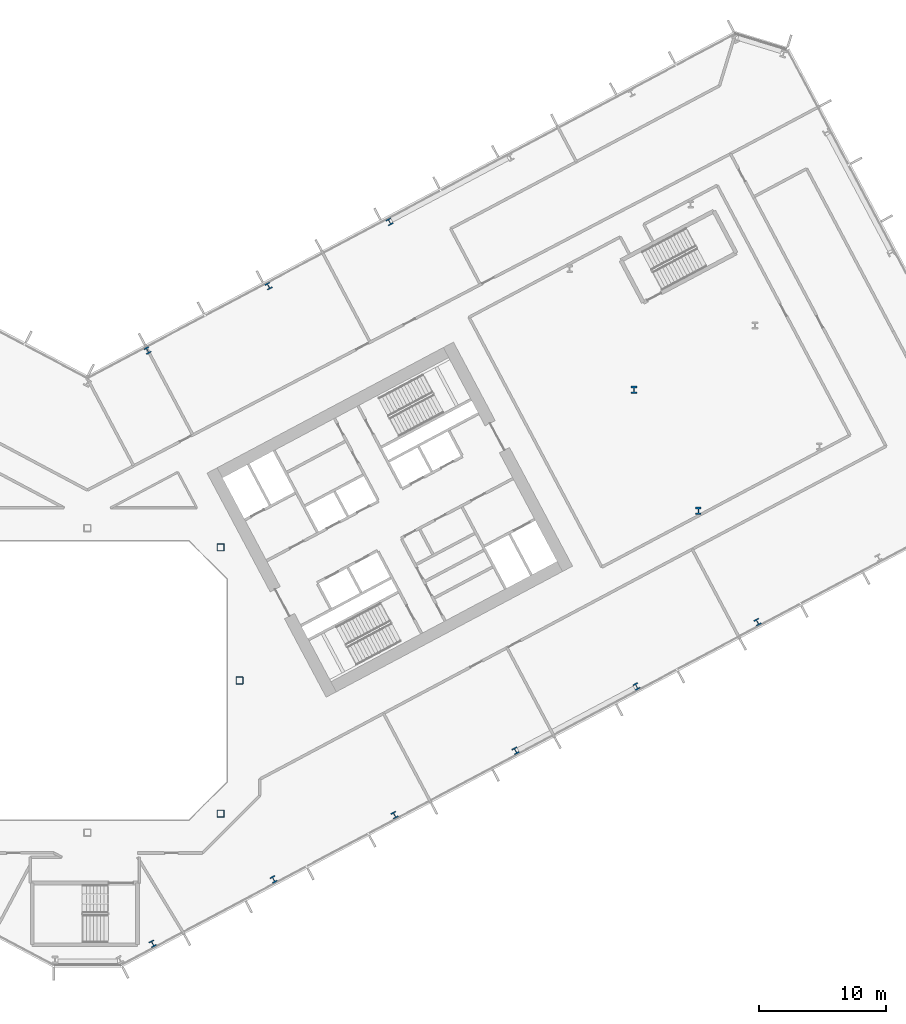
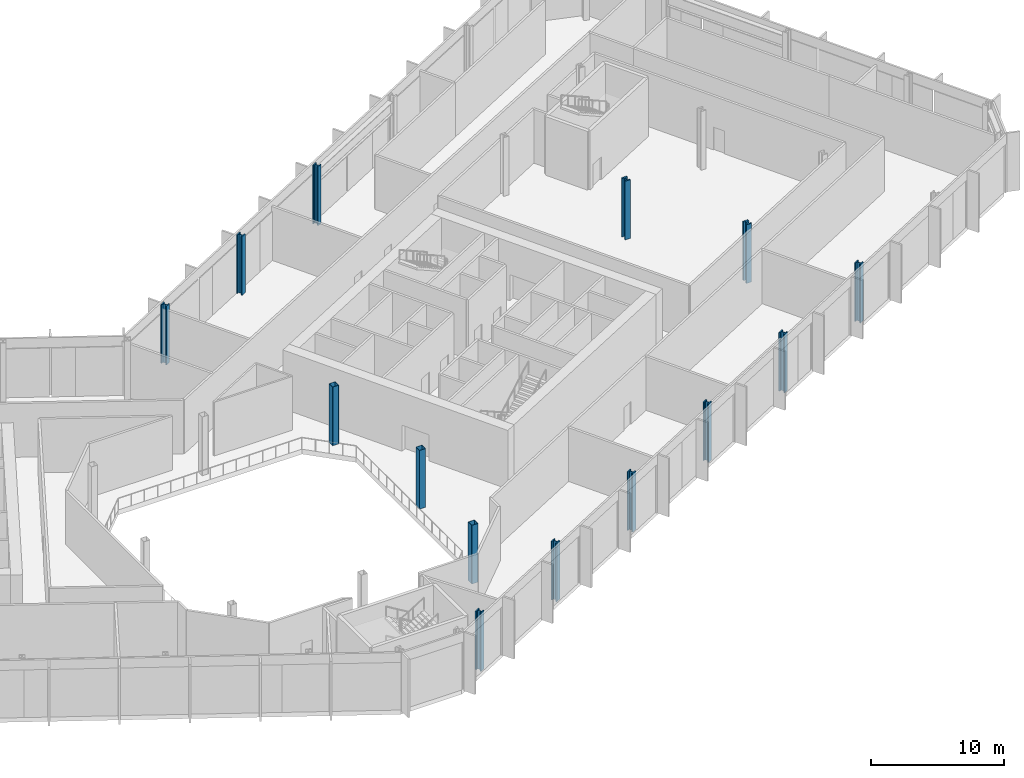
# One storey, part 3 of 31: 14 columns.
"""IFC4 building model written with IfcOpenShell, lengths in metres."""

from ifc_helpers import new_model, si_unit, direction, frame, origin, origin_2d, place, context, subcontext, project, spatial, hollow_rectangle, i_section, extrude, material, material_profile, profile_set, type_object, element, save


model = new_model("IFC4")

# Units and contexts
model_context = context("Model", 3, precision=1e-05, world=origin(), true_north=direction((0.0, 1.0)))
body_context = subcontext(model_context, "Body", "Model", "MODEL_VIEW")
ifc_project = project(units=[si_unit("LENGTHUNIT", "METRE"), si_unit("AREAUNIT", "SQUARE_METRE"), si_unit("VOLUMEUNIT", "CUBIC_METRE"), si_unit("PLANEANGLEUNIT", "RADIAN"), si_unit("MASSUNIT", "GRAM", prefix="KILO")], contexts=[model_context])

# Site, building, storey
site_placement = place(None, origin())
site = spatial("IfcSite", under=ifc_project, at=site_placement, CompositionType="ELEMENT")
building_placement = place(site_placement, origin())
building = spatial("IfcBuilding", under=site, at=building_placement, Name="Cormorant Relay Tower", CompositionType="ELEMENT")
storey_placement = place(building_placement, frame((0.0, 0.0, 12.199951171875)))
storey = spatial("IfcBuildingStorey", under=building, at=storey_placement, Name="L02", CompositionType="ELEMENT", Elevation=12.199951171875)

# Columns
ifc_material_1 = material(Name="Steel ASTM A1085 Grade A (Fy 345 MPa)", Category="steel")
ifc_material_profile_1 = material_profile(ifc_material_1, hollow_rectangle(XDim=0.558837890625, YDim=0.558837890625, WallThickness=0.023681640625, InnerFilletRadius=0.01171875, OuterFilletRadius=0.035400390625, at=origin_2d()), Name="HSS559x559x24")
ifc_profile_set_1 = profile_set([ifc_material_profile_1], Name="Steel ASTM A1085 Grade A (Fy 345 MPa)")
column_type_1 = type_object("IfcColumnType", Name="Column HSS559x559x24", PredefinedType="COLUMN", material=ifc_profile_set_1)
for number, where, z_axis, x_axis, name in (
    (1, (10.5, -10.5, 0.0), (0.0, 0.0, 1.0), (1.0, 0.0, 0.0), "Column L02-010"),
    (2, (12.0, 0.0, 0.0), (0.0, 0.0, 1.0), (1.0, 0.0, 0.0), "Column L02-016"),
    (3, (10.5, 10.5, 0.0), (0.0, 0.0, 1.0), (1.0, 0.0, 0.0), "Column L02-023"),
):
    element("IfcColumn", number, at=place(storey_placement, frame(where, z_axis=z_axis, x_axis=x_axis)), inside=storey, type_object=column_type_1, Name=name, PredefinedType="COLUMN", context=body_context, shape_type="SweptSolid", body=[
        extrude(hollow_rectangle(XDim=0.558837890625, YDim=0.558837890625, WallThickness=0.023681640625, InnerFilletRadius=0.01171875, OuterFilletRadius=0.035400390625, at=origin_2d()), origin(), (0.0, 0.0, 1.0), 5.400146484375),
    ])
ifc_material_2 = material(Name="Steel ASTM A992 (Fy 345 MPa)", Category="steel")
ifc_material_profile_2 = material_profile(ifc_material_2, i_section(OverallWidth=0.45458984375, OverallDepth=0.569091796875, WebThickness=0.077880859375, FlangeThickness=0.124755859375, FilletRadius=0.015380859375, at=origin_2d()), Name="W360x1086")
ifc_profile_set_2 = profile_set([ifc_material_profile_2], Name="Steel ASTM A992 (Fy 345 MPa)")
column_type_2 = type_object("IfcColumnType", Name="Column W360x1086", PredefinedType="COLUMN", material=ifc_profile_set_2)
for number, where, z_axis, x_axis, name in (
    (4, (48.157958984375, 13.3740234375, 0.0), (0.0, 0.0, 1.0), (1.0, 0.0, 0.0), "Column L02-025"),
    (5, (43.087890625, 22.909912109375, 0.0), (0.0, 0.0, 1.0), (1.0, 0.0, 0.0), "Column L02-031"),
):
    element("IfcColumn", number, at=place(storey_placement, frame(where, z_axis=z_axis, x_axis=x_axis)), inside=storey, type_object=column_type_2, Name=name, PredefinedType="COLUMN", context=body_context, shape_type="SweptSolid", body=[
        extrude(i_section(OverallWidth=0.45458984375, OverallDepth=0.569091796875, WebThickness=0.077880859375, FlangeThickness=0.124755859375, FilletRadius=0.015380859375, at=origin_2d()), origin(), (0.0, 0.0, 1.0), 5.400146484375),
    ])
ifc_material_3 = material(Name="Steel ASTM A992 (Fy 345 MPa)", Category="steel")
ifc_material_profile_3 = material_profile(ifc_material_3, i_section(OverallWidth=0.43701171875, OverallDepth=0.51318359375, WebThickness=0.060546875, FlangeThickness=0.096923828125, FilletRadius=0.015380859375, at=origin_2d()), Name="W360x818")
ifc_profile_set_3 = profile_set([ifc_material_profile_3], Name="Steel ASTM A992 (Fy 345 MPa)")
column_type_3 = type_object("IfcColumnType", Name="Column W360x818", PredefinedType="COLUMN", material=ifc_profile_set_3)
for number, where, z_axis, x_axis, name in (
    (6, (5.14599609375, -20.75390625, 0.0), (0.0, 0.0, 1.0), (0.882947592859, 0.469471562786, 0.0), "Column L02-003"),
    (7, (14.680908203125, -15.68310546875, 0.0), (0.0, 0.0, 1.0), (0.882947592859, 0.469471562786, 0.0), "Column L02-005"),
    (8, (24.217041015625, -10.613037109375, 0.0), (0.0, 0.0, 1.0), (0.882947592859, 0.469471562786, 0.0), "Column L02-008"),
    (9, (33.7529296875, -5.54296875, 0.0), (0.0, 0.0, 1.0), (0.882947592859, 0.469471562786, 0.0), "Column L02-012"),
    (10, (43.2890625, -0.471923828125, 0.0), (0.0, 0.0, 1.0), (0.882947592859, 0.469471562786, 0.0), "Column L02-014"),
    (11, (52.824951171875, 4.597900390625, 0.0), (0.0, 0.0, 1.0), (0.882947592859, 0.469471562786, 0.0), "Column L02-019"),
    (12, (4.743896484375, 26.011962890625, 0.0), (0.0, 0.0, 1.0), (-0.882947592859, -0.469471562786, 0.0), "Column L02-035"),
    (13, (14.279052734375, 31.08203125, 0.0), (0.0, 0.0, 1.0), (-0.882947592859, -0.469471562786, 0.0), "Column L02-039"),
    (14, (23.81494140625, 36.152099609375, 0.0), (0.0, 0.0, 1.0), (-0.882947592859, -0.469471562786, 0.0), "Column L02-044"),
):
    element("IfcColumn", number, at=place(storey_placement, frame(where, z_axis=z_axis, x_axis=x_axis)), inside=storey, type_object=column_type_3, Name=name, PredefinedType="COLUMN", context=body_context, shape_type="SweptSolid", body=[
        extrude(i_section(OverallWidth=0.43701171875, OverallDepth=0.51318359375, WebThickness=0.060546875, FlangeThickness=0.096923828125, FilletRadius=0.015380859375, at=origin_2d()), origin(), (0.0, 0.0, 1.0), 5.400146484375),
    ])

save(model, "model.ifc")
